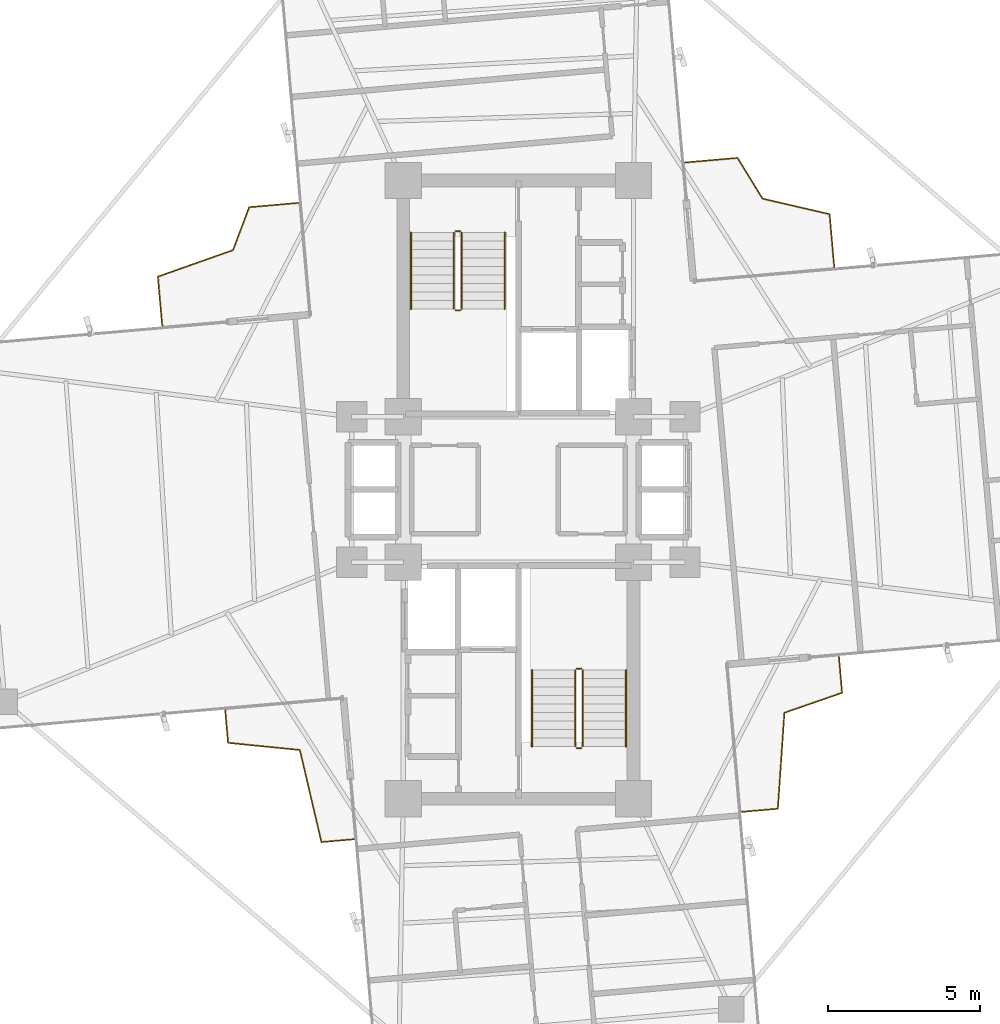
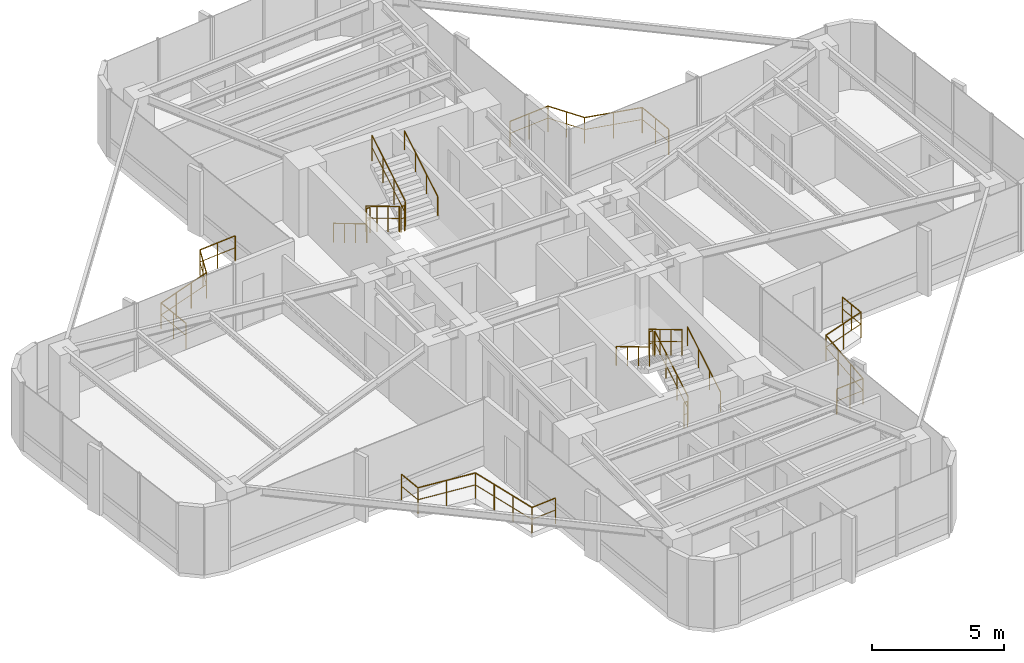
# One storey, part 24 of 24: 16 railings.
"""IFC4 building model written with IfcOpenShell, lengths in metres."""

from ifc_helpers import new_model, si_unit, direction, frame, origin, origin_2d, place, context, subcontext, project, spatial, circle, extrude, material, type_object, element, save


model = new_model("IFC4")

# Units and contexts
model_context = context("Model", 3, precision=1e-05, world=origin(), true_north=direction((0.0, 1.0)))
body_context = subcontext(model_context, "Body", "Model", "MODEL_VIEW")
ifc_project = project(units=[si_unit("LENGTHUNIT", "METRE"), si_unit("AREAUNIT", "SQUARE_METRE"), si_unit("VOLUMEUNIT", "CUBIC_METRE"), si_unit("PLANEANGLEUNIT", "RADIAN"), si_unit("MASSUNIT", "GRAM", prefix="KILO")], contexts=[model_context])

# Site, building, storey
site_placement = place(None, origin())
site = spatial("IfcSite", under=ifc_project, at=site_placement, CompositionType="ELEMENT")
building_placement = place(site_placement, origin())
building = spatial("IfcBuilding", under=site, at=building_placement, Name="Sahyath Konkavel Grand Hotel", CompositionType="ELEMENT")
storey_placement = place(building_placement, frame((0.0, 0.0, 150.60009765625)))
storey = spatial("IfcBuildingStorey", under=building, at=storey_placement, Name="L41", CompositionType="ELEMENT", Elevation=150.60009765625)

# Railings
ifc_material_1 = material(Name="Anodised Bronze Aluminium", Category="aluminium")
railing_type_1 = type_object("IfcRailingType", Name="RLG-BALC-1200", PredefinedType="GUARDRAIL", material=ifc_material_1)
railing_1_placement = place(storey_placement, frame((10.42431640625, 7.346435546875, 0.0)))
element("IfcRailing", 1, at=railing_1_placement, inside=storey, type_object=railing_type_1, Name="L41 Winter-Garden Guard NE", PredefinedType="GUARDRAIL", context=body_context, shape_type="SweptSolid", body=[
    extrude(circle(Radius=0.02392578125, at=origin_2d()), frame((-0.000244140625, 0.001953125, 1.17578125), z_axis=(-0.087189447272, 0.996191748753, 0.0), x_axis=(-0.996191748753, -0.087189447272, 0.0)), (0.0, 0.0, 1.0), 1.74609375),
    extrude(circle(Radius=0.01416015625, at=origin_2d()), frame((-0.000244140625, 0.001953125, 0.6240234375), z_axis=(-0.087189447272, 0.996191748753, 0.0), x_axis=(-0.996191748753, -0.087189447272, 0.0)), (0.0, 0.0, 1.0), 1.74609375),
    extrude(circle(Radius=0.02392578125, at=origin_2d()), frame((-0.154541015625, 1.743896484375, 1.17578125), z_axis=(-0.974198931813, 0.225691030515, 0.0), x_axis=(-0.225691030515, -0.974198931813, 0.0)), (0.0, 0.0, 1.0), 2.268798828125),
    extrude(circle(Radius=0.01416015625, at=origin_2d()), frame((-0.154541015625, 1.743896484375, 0.6240234375), z_axis=(-0.974198931813, 0.225691030515, 0.0), x_axis=(-0.225691030515, -0.974198931813, 0.0)), (0.0, 0.0, 1.0), 2.268798828125),
    extrude(circle(Radius=0.02392578125, at=origin_2d()), frame((-2.36767578125, 2.258056640625, 1.17578125), z_axis=(-0.522714539679, 0.852507777095, 0.0), x_axis=(-0.852507777095, -0.522714539679, 0.0)), (0.0, 0.0, 1.0), 1.57275390625),
    extrude(circle(Radius=0.01416015625, at=origin_2d()), frame((-2.36767578125, 2.258056640625, 0.6240234375), z_axis=(-0.522714539679, 0.852507777095, 0.0), x_axis=(-0.852507777095, -0.522714539679, 0.0)), (0.0, 0.0, 1.0), 1.57275390625),
    extrude(circle(Radius=0.02392578125, at=origin_2d()), frame((-3.19287109375, 3.600341796875, 1.17578125), z_axis=(-0.996191748753, -0.087189447272, 0.0), x_axis=(0.087189447272, -0.996191748753, 0.0)), (0.0, 0.0, 1.0), 1.74609375),
    extrude(circle(Radius=0.01416015625, at=origin_2d()), frame((-3.19287109375, 3.600341796875, 0.6240234375), z_axis=(-0.996191748753, -0.087189447272, 0.0), x_axis=(0.087189447272, -0.996191748753, 0.0)), (0.0, 0.0, 1.0), 1.74609375),
    extrude(circle(Radius=0.02099609375, at=origin_2d()), origin(), (0.0, 0.0, 1.0), 1.15185546875),
    extrude(circle(Radius=0.02099609375, at=origin_2d()), frame((-0.076171875, 0.87158203125, 0.0)), (0.0, 0.0, 1.0), 1.15185546875),
    extrude(circle(Radius=0.02099609375, at=origin_2d()), frame((-0.152587890625, 1.743408203125, 0.0)), (0.0, 0.0, 1.0), 1.15185546875),
    extrude(circle(Radius=0.02099609375, at=origin_2d()), frame((-1.259765625, 2.0, 0.0)), (0.0, 0.0, 1.0), 1.15185546875),
    extrude(circle(Radius=0.02099609375, at=origin_2d()), frame((-2.36669921875, 2.25634765625, 0.0)), (0.0, 0.0, 1.0), 1.15185546875),
    extrude(circle(Radius=0.02099609375, at=origin_2d()), frame((-2.77880859375, 2.928466796875, 0.0)), (0.0, 0.0, 1.0), 1.15185546875),
    extrude(circle(Radius=0.02099609375, at=origin_2d()), frame((-3.19091796875, 3.6005859375, 0.0)), (0.0, 0.0, 1.0), 1.15185546875),
    extrude(circle(Radius=0.02099609375, at=origin_2d()), frame((-4.0625, 3.5244140625, 0.0)), (0.0, 0.0, 1.0), 1.15185546875),
    extrude(circle(Radius=0.02099609375, at=origin_2d()), frame((-4.934326171875, 3.447998046875, 0.0)), (0.0, 0.0, 1.0), 1.15185546875),
])
railing_2_placement = place(storey_placement, frame((-7.26220703125, 9.462158203125, 0.0)))
element("IfcRailing", 2, at=railing_2_placement, inside=storey, type_object=railing_type_1, Name="L41 Winter-Garden Guard NW", PredefinedType="GUARDRAIL", context=body_context, shape_type="SweptSolid", body=[
    extrude(circle(Radius=0.02392578125, at=origin_2d()), frame((-0.001953125, -0.000244140625, 1.17578125), z_axis=(-0.996186391407, -0.087250636539, 0.0), x_axis=(0.087250636539, -0.996186391407, 0.0)), (0.0, 0.0, 1.0), 1.62451171875),
    extrude(circle(Radius=0.01416015625, at=origin_2d()), frame((-0.001953125, -0.000244140625, 0.6240234375), z_axis=(-0.996186391407, -0.087250636539, 0.0), x_axis=(0.087250636539, -0.996186391407, 0.0)), (0.0, 0.0, 1.0), 1.62451171875),
    extrude(circle(Radius=0.02392578125, at=origin_2d()), frame((-1.623046875, -0.14404296875, 1.17578125), z_axis=(-0.353526021122, -0.935424690924, 0.0), x_axis=(0.935424690924, -0.353526021122, 0.0)), (0.0, 0.0, 1.0), 1.509765625),
    extrude(circle(Radius=0.01416015625, at=origin_2d()), frame((-1.623046875, -0.14404296875, 0.6240234375), z_axis=(-0.353526021122, -0.935424690924, 0.0), x_axis=(0.935424690924, -0.353526021122, 0.0)), (0.0, 0.0, 1.0), 1.509765625),
    extrude(circle(Radius=0.02392578125, at=origin_2d()), frame((-2.159423828125, -1.558837890625, 1.17578125), z_axis=(-0.942866840766, -0.333169807432, 0.0), x_axis=(0.333169807432, -0.942866840766, 0.0)), (0.0, 0.0, 1.0), 2.625244140625),
    extrude(circle(Radius=0.01416015625, at=origin_2d()), frame((-2.159423828125, -1.558837890625, 0.6240234375), z_axis=(-0.942866840766, -0.333169807432, 0.0), x_axis=(0.333169807432, -0.942866840766, 0.0)), (0.0, 0.0, 1.0), 2.625244140625),
    extrude(circle(Radius=0.02392578125, at=origin_2d()), frame((-4.63623046875, -2.43603515625, 1.17578125), z_axis=(0.087114870063, -0.996198273143, 0.0), x_axis=(0.996198273143, 0.087114870063, 0.0)), (0.0, 0.0, 1.0), 1.624267578125),
    extrude(circle(Radius=0.01416015625, at=origin_2d()), frame((-4.63623046875, -2.43603515625, 0.6240234375), z_axis=(0.087114870063, -0.996198273143, 0.0), x_axis=(0.996198273143, 0.087114870063, 0.0)), (0.0, 0.0, 1.0), 1.624267578125),
    extrude(circle(Radius=0.02099609375, at=origin_2d()), origin(), (0.0, 0.0, 1.0), 1.15185546875),
    extrude(circle(Radius=0.02099609375, at=origin_2d()), frame((-0.81103515625, -0.071044921875, 0.0)), (0.0, 0.0, 1.0), 1.15185546875),
    extrude(circle(Radius=0.02099609375, at=origin_2d()), frame((-1.622314453125, -0.14208984375, 0.0)), (0.0, 0.0, 1.0), 1.15185546875),
    extrude(circle(Radius=0.02099609375, at=origin_2d()), frame((-1.889892578125, -0.85009765625, 0.0)), (0.0, 0.0, 1.0), 1.15185546875),
    extrude(circle(Radius=0.02099609375, at=origin_2d()), frame((-2.157470703125, -1.55810546875, 0.0)), (0.0, 0.0, 1.0), 1.15185546875),
    extrude(circle(Radius=0.02099609375, at=origin_2d()), frame((-2.98388671875, -1.85009765625, 0.0)), (0.0, 0.0, 1.0), 1.15185546875),
    extrude(circle(Radius=0.02099609375, at=origin_2d()), frame((-3.81005859375, -2.14208984375, 0.0)), (0.0, 0.0, 1.0), 1.15185546875),
    extrude(circle(Radius=0.02099609375, at=origin_2d()), frame((-4.636474609375, -2.43408203125, 0.0)), (0.0, 0.0, 1.0), 1.15185546875),
    extrude(circle(Radius=0.02099609375, at=origin_2d()), frame((-4.5654296875, -3.2451171875, 0.0)), (0.0, 0.0, 1.0), 1.15185546875),
    extrude(circle(Radius=0.02099609375, at=origin_2d()), frame((-4.49462890625, -4.05615234375, 0.0)), (0.0, 0.0, 1.0), 1.15185546875),
])
railing_3_placement = place(storey_placement, frame((-9.67724609375, -7.281005859375, 0.0)))
element("IfcRailing", 3, at=railing_3_placement, inside=storey, type_object=railing_type_1, Name="L41 Winter-Garden Guard SW", PredefinedType="GUARDRAIL", context=body_context, shape_type="SweptSolid", body=[
    extrude(circle(Radius=0.02392578125, at=origin_2d()), frame((0.000244140625, -0.001953125, 1.17578125), z_axis=(0.087096973379, -0.996199837999, 0.0), x_axis=(0.996199837999, 0.087096973379, 0.0)), (0.0, 0.0, 1.0), 1.077880859375),
    extrude(circle(Radius=0.01416015625, at=origin_2d()), frame((0.000244140625, -0.001953125, 0.6240234375), z_axis=(0.087096973379, -0.996199837999, 0.0), x_axis=(0.996199837999, 0.087096973379, 0.0)), (0.0, 0.0, 1.0), 1.077880859375),
    extrude(circle(Radius=0.02392578125, at=origin_2d()), frame((0.09619140625, -1.078125, 1.17578125), z_axis=(0.99496893452, -0.100183927551, 0.0), x_axis=(0.100183927551, 0.99496893452, 0.0)), (0.0, 0.0, 1.0), 2.376953125),
    extrude(circle(Radius=0.01416015625, at=origin_2d()), frame((0.09619140625, -1.078125, 0.6240234375), z_axis=(0.99496893452, -0.100183927551, 0.0), x_axis=(0.100183927551, 0.99496893452, 0.0)), (0.0, 0.0, 1.0), 2.376953125),
    extrude(circle(Radius=0.02392578125, at=origin_2d()), frame((2.463623046875, -1.318359375, 1.17578125), z_axis=(0.228040689583, -0.973651602933, 0.0), x_axis=(0.973651602933, 0.228040689583, 0.0)), (0.0, 0.0, 1.0), 3.11669921875),
    extrude(circle(Radius=0.01416015625, at=origin_2d()), frame((2.463623046875, -1.318359375, 0.6240234375), z_axis=(0.228040689583, -0.973651602933, 0.0), x_axis=(0.973651602933, 0.228040689583, 0.0)), (0.0, 0.0, 1.0), 3.11669921875),
    extrude(circle(Radius=0.02392578125, at=origin_2d()), frame((3.1767578125, -4.354736328125, 1.17578125), z_axis=(0.996198125744, 0.087116555627, 0.0), x_axis=(-0.087116555627, 0.996198125744, 0.0)), (0.0, 0.0, 1.0), 1.07763671875),
    extrude(circle(Radius=0.01416015625, at=origin_2d()), frame((3.1767578125, -4.354736328125, 0.6240234375), z_axis=(0.996198125744, 0.087116555627, 0.0), x_axis=(-0.087116555627, 0.996198125744, 0.0)), (0.0, 0.0, 1.0), 1.07763671875),
    extrude(circle(Radius=0.02099609375, at=origin_2d()), origin(), (0.0, 0.0, 1.0), 1.15185546875),
    extrude(circle(Radius=0.02099609375, at=origin_2d()), frame((0.09423828125, -1.077880859375, 0.0)), (0.0, 0.0, 1.0), 1.15185546875),
    extrude(circle(Radius=0.02099609375, at=origin_2d()), frame((1.27880859375, -1.197265625, 0.0)), (0.0, 0.0, 1.0), 1.15185546875),
    extrude(circle(Radius=0.02099609375, at=origin_2d()), frame((2.463134765625, -1.31640625, 0.0)), (0.0, 0.0, 1.0), 1.15185546875),
    extrude(circle(Radius=0.02099609375, at=origin_2d()), frame((2.700439453125, -2.329345703125, 0.0)), (0.0, 0.0, 1.0), 1.15185546875),
    extrude(circle(Radius=0.02099609375, at=origin_2d()), frame((2.9375, -3.342041015625, 0.0)), (0.0, 0.0, 1.0), 1.15185546875),
    extrude(circle(Radius=0.02099609375, at=origin_2d()), frame((3.1748046875, -4.35498046875, 0.0)), (0.0, 0.0, 1.0), 1.15185546875),
    extrude(circle(Radius=0.02099609375, at=origin_2d()), frame((4.25244140625, -4.2607421875, 0.0)), (0.0, 0.0, 1.0), 1.15185546875),
])
railing_4_placement = place(storey_placement, frame((7.365478515625, -10.6396484375, 0.0)))
element("IfcRailing", 4, at=railing_4_placement, inside=storey, type_object=railing_type_1, Name="L41 Winter-Garden Guard SE", PredefinedType="GUARDRAIL", context=body_context, shape_type="SweptSolid", body=[
    extrude(circle(Radius=0.02392578125, at=origin_2d()), frame((0.001953125, 0.000244140625, 1.17578125), z_axis=(0.996187107908, 0.087242455479, 0.0), x_axis=(-0.087242455479, 0.996187107908, 0.0)), (0.0, 0.0, 1.0), 1.19921875),
    extrude(circle(Radius=0.01416015625, at=origin_2d()), frame((0.001953125, 0.000244140625, 0.6240234375), z_axis=(0.996187107908, 0.087242455479, 0.0), x_axis=(-0.087242455479, 0.996187107908, 0.0)), (0.0, 0.0, 1.0), 1.19921875),
    extrude(circle(Radius=0.02392578125, at=origin_2d()), frame((1.198974609375, 0.10693359375, 1.17578125), z_axis=(0.068147427493, 0.997675261859, 0.0), x_axis=(-0.997675261859, 0.068147427493, 0.0)), (0.0, 0.0, 1.0), 3.170166015625),
    extrude(circle(Radius=0.01416015625, at=origin_2d()), frame((1.198974609375, 0.10693359375, 0.6240234375), z_axis=(0.068147427493, 0.997675261859, 0.0), x_axis=(-0.997675261859, 0.068147427493, 0.0)), (0.0, 0.0, 1.0), 3.170166015625),
    extrude(circle(Radius=0.02392578125, at=origin_2d()), frame((1.4169921875, 3.2724609375, 1.17578125), z_axis=(0.944847697187, 0.327510044306, 0.0), x_axis=(-0.327510044306, 0.944847697187, 0.0)), (0.0, 0.0, 1.0), 2.010986328125),
    extrude(circle(Radius=0.01416015625, at=origin_2d()), frame((1.4169921875, 3.2724609375, 0.6240234375), z_axis=(0.944847697187, 0.327510044306, 0.0), x_axis=(-0.327510044306, 0.944847697187, 0.0)), (0.0, 0.0, 1.0), 2.010986328125),
    extrude(circle(Radius=0.02392578125, at=origin_2d()), frame((3.318603515625, 3.93359375, 1.17578125), z_axis=(-0.08720720351, 0.996190194519, 0.0), x_axis=(-0.996190194519, -0.08720720351, 0.0)), (0.0, 0.0, 1.0), 1.19970703125),
    extrude(circle(Radius=0.01416015625, at=origin_2d()), frame((3.318603515625, 3.93359375, 0.6240234375), z_axis=(-0.08720720351, 0.996190194519, 0.0), x_axis=(-0.996190194519, -0.08720720351, 0.0)), (0.0, 0.0, 1.0), 1.19970703125),
    extrude(circle(Radius=0.02099609375, at=origin_2d()), origin(), (0.0, 0.0, 1.0), 1.15185546875),
    extrude(circle(Radius=0.02099609375, at=origin_2d()), frame((0.599365234375, 0.052490234375, 0.0)), (0.0, 0.0, 1.0), 1.15185546875),
    extrude(circle(Radius=0.02099609375, at=origin_2d()), frame((1.19873046875, 0.10498046875, 0.0)), (0.0, 0.0, 1.0), 1.15185546875),
    extrude(circle(Radius=0.02099609375, at=origin_2d()), frame((1.270751953125, 1.16064453125, 0.0)), (0.0, 0.0, 1.0), 1.15185546875),
    extrude(circle(Radius=0.02099609375, at=origin_2d()), frame((1.343017578125, 2.216064453125, 0.0)), (0.0, 0.0, 1.0), 1.15185546875),
    extrude(circle(Radius=0.02099609375, at=origin_2d()), frame((1.4150390625, 3.271728515625, 0.0)), (0.0, 0.0, 1.0), 1.15185546875),
    extrude(circle(Radius=0.02099609375, at=origin_2d()), frame((2.366943359375, 3.6015625, 0.0)), (0.0, 0.0, 1.0), 1.15185546875),
    extrude(circle(Radius=0.02099609375, at=origin_2d()), frame((3.31884765625, 3.931640625, 0.0)), (0.0, 0.0, 1.0), 1.15185546875),
    extrude(circle(Radius=0.02099609375, at=origin_2d()), frame((3.266357421875, 4.53125, 0.0)), (0.0, 0.0, 1.0), 1.15185546875),
    extrude(circle(Radius=0.02099609375, at=origin_2d()), frame((3.2138671875, 5.130859375, 0.0)), (0.0, 0.0, 1.0), 1.15185546875),
])
ifc_material_2 = material(Name="Steel E350", Category="steel")
railing_type_2 = type_object("IfcRailingType", Name="RLG-STAIR-GRD", PredefinedType="GUARDRAIL", material=ifc_material_2)
railing_5_placement = place(storey_placement, frame((-2.1298828125, 8.47998046875, 0.16748046875)))
element("IfcRailing", 5, at=railing_5_placement, inside=storey, type_object=railing_type_2, Name="L41 ST-1 stair guard 1", PredefinedType="GUARDRAIL", context=body_context, shape_type="SweptSolid", body=[
    extrude(circle(Radius=0.02392578125, at=origin_2d()), frame((0.0, -0.001708984375, 1.177001953125), z_axis=(0.0, -0.858196387827, 0.513321497621), x_axis=(1.0, 0.0, 0.0)), (0.0, 0.0, 1.0), 2.932373046875),
    extrude(circle(Radius=0.01416015625, at=origin_2d()), frame((0.0, -0.001708984375, 0.625), z_axis=(0.0, -0.858196387827, 0.513321497621), x_axis=(1.0, 0.0, 0.0)), (0.0, 0.0, 1.0), 2.932373046875),
    extrude(circle(Radius=0.02099609375, at=origin_2d()), origin(), (0.0, 0.0, 1.0), 1.15185546875),
    extrude(circle(Radius=0.02099609375, at=origin_2d()), frame((0.0, -0.840087890625, 0.50244140625)), (0.0, 0.0, 1.0), 1.15185546875),
    extrude(circle(Radius=0.02099609375, at=origin_2d()), frame((0.0, -1.679931640625, 1.0048828125)), (0.0, 0.0, 1.0), 1.15185546875),
    extrude(circle(Radius=0.02099609375, at=origin_2d()), frame((0.0, -2.52001953125, 1.50732421875)), (0.0, 0.0, 1.0), 1.15185546875),
])
railing_6_placement = place(storey_placement, frame((-2.080078125, 5.909912109375, 1.6748046875)))
element("IfcRailing", 6, at=railing_6_placement, inside=storey, type_object=railing_type_2, Name="L41 ST-1 stair guard 2", PredefinedType="GUARDRAIL", context=body_context, shape_type="SweptSolid", body=[
    extrude(circle(Radius=0.02392578125, at=origin_2d()), frame((0.001953125, 0.0, 1.17578125), z_axis=(1.0, 0.0, 0.0), x_axis=(0.0, 1.0, 0.0)), (0.0, 0.0, 1.0), 0.15625),
    extrude(circle(Radius=0.01416015625, at=origin_2d()), frame((0.001953125, 0.0, 0.6240234375), z_axis=(1.0, 0.0, 0.0), x_axis=(0.0, 1.0, 0.0)), (0.0, 0.0, 1.0), 0.15625),
    extrude(circle(Radius=0.02099609375, at=origin_2d()), origin(), (0.0, 0.0, 1.0), 1.15185546875),
    extrude(circle(Radius=0.02099609375, at=origin_2d()), frame((0.16015625, 0.0, 0.0)), (0.0, 0.0, 1.0), 1.15185546875),
])
railing_7_placement = place(storey_placement, frame((-1.8701171875, 5.9599609375, 1.84228515625)))
element("IfcRailing", 7, at=railing_7_placement, inside=storey, type_object=railing_type_2, Name="L41 ST-1 stair guard 3", PredefinedType="GUARDRAIL", context=body_context, shape_type="SweptSolid", body=[
    extrude(circle(Radius=0.02392578125, at=origin_2d()), frame((0.0, 0.001708984375, 1.177001953125), z_axis=(0.0, 0.858159760407, 0.513382728203), x_axis=(-1.0, 0.0, 0.0)), (0.0, 0.0, 1.0), 2.9326171875),
    extrude(circle(Radius=0.01416015625, at=origin_2d()), frame((0.0, 0.001708984375, 0.625), z_axis=(0.0, 0.858159760407, 0.513382728203), x_axis=(-1.0, 0.0, 0.0)), (0.0, 0.0, 1.0), 2.9326171875),
    extrude(circle(Radius=0.02099609375, at=origin_2d()), origin(), (0.0, 0.0, 1.0), 1.15185546875),
    extrude(circle(Radius=0.02099609375, at=origin_2d()), frame((0.0, 0.840087890625, 0.50244140625)), (0.0, 0.0, 1.0), 1.15185546875),
    extrude(circle(Radius=0.02099609375, at=origin_2d()), frame((0.0, 1.679931640625, 1.005126953125)), (0.0, 0.0, 1.0), 1.15185546875),
    extrude(circle(Radius=0.02099609375, at=origin_2d()), frame((0.0, 2.52001953125, 1.507568359375)), (0.0, 0.0, 1.0), 1.15185546875),
])
railing_8_placement = place(storey_placement, frame((-2.080078125, 8.530029296875, 0.0)))
element("IfcRailing", 8, at=railing_8_placement, inside=storey, type_object=railing_type_2, Name="L41 ST-1 stair guard 4", PredefinedType="GUARDRAIL", context=body_context, shape_type="SweptSolid", body=[
    extrude(circle(Radius=0.02392578125, at=origin_2d()), frame((0.001953125, 0.0, 1.17578125), z_axis=(1.0, 0.0, 0.0), x_axis=(0.0, 1.0, 0.0)), (0.0, 0.0, 1.0), 0.15625),
    extrude(circle(Radius=0.01416015625, at=origin_2d()), frame((0.001953125, 0.0, 0.6240234375), z_axis=(1.0, 0.0, 0.0), x_axis=(0.0, 1.0, 0.0)), (0.0, 0.0, 1.0), 0.15625),
    extrude(circle(Radius=0.02099609375, at=origin_2d()), origin(), (0.0, 0.0, 1.0), 1.15185546875),
    extrude(circle(Radius=0.02099609375, at=origin_2d()), frame((0.16015625, 0.0, 0.0)), (0.0, 0.0, 1.0), 1.15185546875),
])
railing_9_placement = place(storey_placement, frame((2.1298828125, -8.47998046875, 0.16748046875)))
element("IfcRailing", 9, at=railing_9_placement, inside=storey, type_object=railing_type_2, Name="L41 ST-2 stair guard 1", PredefinedType="GUARDRAIL", context=body_context, shape_type="SweptSolid", body=[
    extrude(circle(Radius=0.02392578125, at=origin_2d()), frame((0.0, 0.001708984375, 1.177001953125), z_axis=(0.0, 0.858196387827, 0.513321497621), x_axis=(-1.0, 0.0, 0.0)), (0.0, 0.0, 1.0), 2.932373046875),
    extrude(circle(Radius=0.01416015625, at=origin_2d()), frame((0.0, 0.001708984375, 0.625), z_axis=(0.0, 0.858196387827, 0.513321497621), x_axis=(-1.0, 0.0, 0.0)), (0.0, 0.0, 1.0), 2.932373046875),
    extrude(circle(Radius=0.02099609375, at=origin_2d()), origin(), (0.0, 0.0, 1.0), 1.15185546875),
    extrude(circle(Radius=0.02099609375, at=origin_2d()), frame((0.0, 0.840087890625, 0.50244140625)), (0.0, 0.0, 1.0), 1.15185546875),
    extrude(circle(Radius=0.02099609375, at=origin_2d()), frame((0.0, 1.679931640625, 1.0048828125)), (0.0, 0.0, 1.0), 1.15185546875),
    extrude(circle(Radius=0.02099609375, at=origin_2d()), frame((0.0, 2.52001953125, 1.50732421875)), (0.0, 0.0, 1.0), 1.15185546875),
])
railing_10_placement = place(storey_placement, frame((2.080078125, -5.909912109375, 1.6748046875)))
element("IfcRailing", 10, at=railing_10_placement, inside=storey, type_object=railing_type_2, Name="L41 ST-2 stair guard 2", PredefinedType="GUARDRAIL", context=body_context, shape_type="SweptSolid", body=[
    extrude(circle(Radius=0.02392578125, at=origin_2d()), frame((-0.001953125, 0.0, 1.17578125), z_axis=(-1.0, 0.0, 0.0), x_axis=(0.0, -1.0, 0.0)), (0.0, 0.0, 1.0), 0.15625),
    extrude(circle(Radius=0.01416015625, at=origin_2d()), frame((-0.001953125, 0.0, 0.6240234375), z_axis=(-1.0, 0.0, 0.0), x_axis=(0.0, -1.0, 0.0)), (0.0, 0.0, 1.0), 0.15625),
    extrude(circle(Radius=0.02099609375, at=origin_2d()), origin(), (0.0, 0.0, 1.0), 1.15185546875),
    extrude(circle(Radius=0.02099609375, at=origin_2d()), frame((-0.16015625, 0.0, 0.0)), (0.0, 0.0, 1.0), 1.15185546875),
])
railing_11_placement = place(storey_placement, frame((1.8701171875, -5.9599609375, 1.84228515625)))
element("IfcRailing", 11, at=railing_11_placement, inside=storey, type_object=railing_type_2, Name="L41 ST-2 stair guard 3", PredefinedType="GUARDRAIL", context=body_context, shape_type="SweptSolid", body=[
    extrude(circle(Radius=0.02392578125, at=origin_2d()), frame((0.0, -0.001708984375, 1.177001953125), z_axis=(0.0, -0.858159760407, 0.513382728203), x_axis=(1.0, 0.0, 0.0)), (0.0, 0.0, 1.0), 2.9326171875),
    extrude(circle(Radius=0.01416015625, at=origin_2d()), frame((0.0, -0.001708984375, 0.625), z_axis=(0.0, -0.858159760407, 0.513382728203), x_axis=(1.0, 0.0, 0.0)), (0.0, 0.0, 1.0), 2.9326171875),
    extrude(circle(Radius=0.02099609375, at=origin_2d()), origin(), (0.0, 0.0, 1.0), 1.15185546875),
    extrude(circle(Radius=0.02099609375, at=origin_2d()), frame((0.0, -0.840087890625, 0.50244140625)), (0.0, 0.0, 1.0), 1.15185546875),
    extrude(circle(Radius=0.02099609375, at=origin_2d()), frame((0.0, -1.679931640625, 1.005126953125)), (0.0, 0.0, 1.0), 1.15185546875),
    extrude(circle(Radius=0.02099609375, at=origin_2d()), frame((0.0, -2.52001953125, 1.507568359375)), (0.0, 0.0, 1.0), 1.15185546875),
])
railing_12_placement = place(storey_placement, frame((2.080078125, -8.530029296875, 0.0)))
element("IfcRailing", 12, at=railing_12_placement, inside=storey, type_object=railing_type_2, Name="L41 ST-2 stair guard 4", PredefinedType="GUARDRAIL", context=body_context, shape_type="SweptSolid", body=[
    extrude(circle(Radius=0.02392578125, at=origin_2d()), frame((-0.001953125, 0.0, 1.17578125), z_axis=(-1.0, 0.0, 0.0), x_axis=(0.0, -1.0, 0.0)), (0.0, 0.0, 1.0), 0.15625),
    extrude(circle(Radius=0.01416015625, at=origin_2d()), frame((-0.001953125, 0.0, 0.6240234375), z_axis=(-1.0, 0.0, 0.0), x_axis=(0.0, -1.0, 0.0)), (0.0, 0.0, 1.0), 0.15625),
    extrude(circle(Radius=0.02099609375, at=origin_2d()), origin(), (0.0, 0.0, 1.0), 1.15185546875),
    extrude(circle(Radius=0.02099609375, at=origin_2d()), frame((-0.16015625, 0.0, 0.0)), (0.0, 0.0, 1.0), 1.15185546875),
])
railing_type_3 = type_object("IfcRailingType", Name="RLG-STAIR-HND", PredefinedType="HANDRAIL", material=ifc_material_1)
railing_13_placement = place(storey_placement, frame((-3.550048828125, 8.47998046875, 0.16748046875)))
element("IfcRailing", 13, at=railing_13_placement, inside=storey, type_object=railing_type_3, Name="L41 ST-1 stair handrail 1", PredefinedType="HANDRAIL", context=body_context, shape_type="SweptSolid", body=[
    extrude(circle(Radius=0.02392578125, at=origin_2d()), frame((0.0, -0.001708984375, 0.876953125), z_axis=(0.0, -0.858196387827, 0.513321497621), x_axis=(1.0, 0.0, 0.0)), (0.0, 0.0, 1.0), 2.932373046875),
    extrude(circle(Radius=0.02099609375, at=origin_2d()), origin(), (0.0, 0.0, 1.0), 0.851806640625),
    extrude(circle(Radius=0.02099609375, at=origin_2d()), frame((0.0, -0.840087890625, 0.50244140625)), (0.0, 0.0, 1.0), 0.851806640625),
    extrude(circle(Radius=0.02099609375, at=origin_2d()), frame((0.0, -1.679931640625, 1.0048828125)), (0.0, 0.0, 1.0), 0.851806640625),
    extrude(circle(Radius=0.02099609375, at=origin_2d()), frame((0.0, -2.52001953125, 1.50732421875)), (0.0, 0.0, 1.0), 0.851806640625),
])
railing_14_placement = place(storey_placement, frame((-0.449951171875, 5.9599609375, 1.84228515625)))
element("IfcRailing", 14, at=railing_14_placement, inside=storey, type_object=railing_type_3, Name="L41 ST-1 stair handrail 2", PredefinedType="HANDRAIL", context=body_context, shape_type="SweptSolid", body=[
    extrude(circle(Radius=0.02392578125, at=origin_2d()), frame((0.0, 0.001708984375, 0.876953125), z_axis=(0.0, 0.858159760407, 0.513382728203), x_axis=(-1.0, 0.0, 0.0)), (0.0, 0.0, 1.0), 2.9326171875),
    extrude(circle(Radius=0.02099609375, at=origin_2d()), origin(), (0.0, 0.0, 1.0), 0.851806640625),
    extrude(circle(Radius=0.02099609375, at=origin_2d()), frame((0.0, 0.840087890625, 0.50244140625)), (0.0, 0.0, 1.0), 0.851806640625),
    extrude(circle(Radius=0.02099609375, at=origin_2d()), frame((0.0, 1.679931640625, 1.005126953125)), (0.0, 0.0, 1.0), 0.851806640625),
    extrude(circle(Radius=0.02099609375, at=origin_2d()), frame((0.0, 2.52001953125, 1.507568359375)), (0.0, 0.0, 1.0), 0.851806640625),
])
railing_15_placement = place(storey_placement, frame((3.550048828125, -8.47998046875, 0.16748046875)))
element("IfcRailing", 15, at=railing_15_placement, inside=storey, type_object=railing_type_3, Name="L41 ST-2 stair handrail 1", PredefinedType="HANDRAIL", context=body_context, shape_type="SweptSolid", body=[
    extrude(circle(Radius=0.02392578125, at=origin_2d()), frame((0.0, 0.001708984375, 0.876953125), z_axis=(0.0, 0.858196387827, 0.513321497621), x_axis=(-1.0, 0.0, 0.0)), (0.0, 0.0, 1.0), 2.932373046875),
    extrude(circle(Radius=0.02099609375, at=origin_2d()), origin(), (0.0, 0.0, 1.0), 0.851806640625),
    extrude(circle(Radius=0.02099609375, at=origin_2d()), frame((0.0, 0.840087890625, 0.50244140625)), (0.0, 0.0, 1.0), 0.851806640625),
    extrude(circle(Radius=0.02099609375, at=origin_2d()), frame((0.0, 1.679931640625, 1.0048828125)), (0.0, 0.0, 1.0), 0.851806640625),
    extrude(circle(Radius=0.02099609375, at=origin_2d()), frame((0.0, 2.52001953125, 1.50732421875)), (0.0, 0.0, 1.0), 0.851806640625),
])
railing_16_placement = place(storey_placement, frame((0.449951171875, -5.9599609375, 1.84228515625)))
element("IfcRailing", 16, at=railing_16_placement, inside=storey, type_object=railing_type_3, Name="L41 ST-2 stair handrail 2", PredefinedType="HANDRAIL", context=body_context, shape_type="SweptSolid", body=[
    extrude(circle(Radius=0.02392578125, at=origin_2d()), frame((0.0, -0.001708984375, 0.876953125), z_axis=(0.0, -0.858159760407, 0.513382728203), x_axis=(1.0, 0.0, 0.0)), (0.0, 0.0, 1.0), 2.9326171875),
    extrude(circle(Radius=0.02099609375, at=origin_2d()), origin(), (0.0, 0.0, 1.0), 0.851806640625),
    extrude(circle(Radius=0.02099609375, at=origin_2d()), frame((0.0, -0.840087890625, 0.50244140625)), (0.0, 0.0, 1.0), 0.851806640625),
    extrude(circle(Radius=0.02099609375, at=origin_2d()), frame((0.0, -1.679931640625, 1.005126953125)), (0.0, 0.0, 1.0), 0.851806640625),
    extrude(circle(Radius=0.02099609375, at=origin_2d()), frame((0.0, -2.52001953125, 1.507568359375)), (0.0, 0.0, 1.0), 0.851806640625),
])

save(model, "model.ifc")
